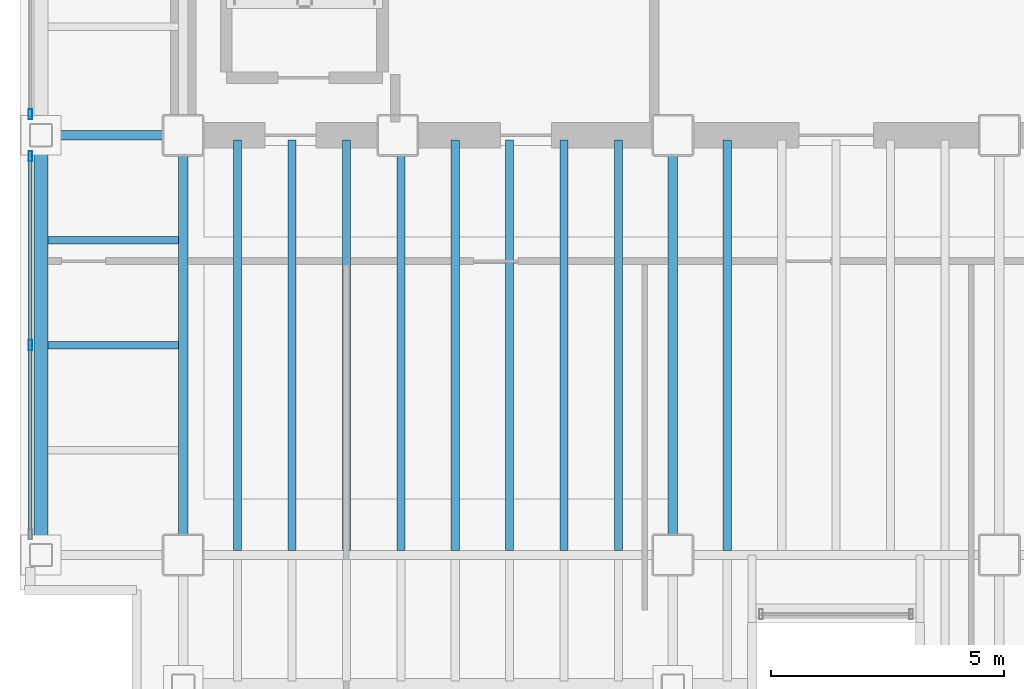
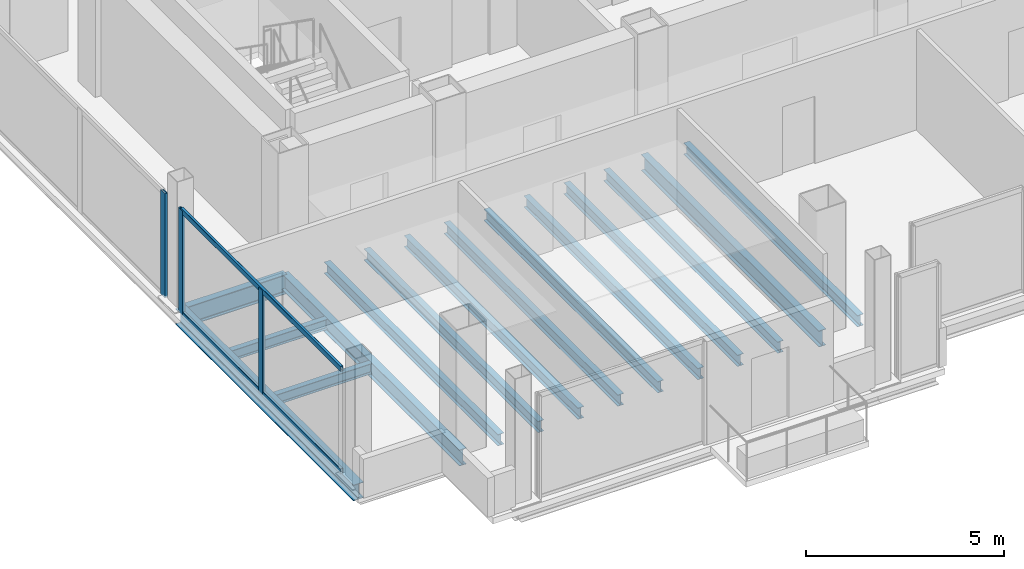
# One storey, part 3 of 15: 15 beams, 5 members, 2 elements without a shape of their own.
"""IFC4 building model written with IfcOpenShell, lengths in metres."""

from ifc_helpers import new_model, si_unit, direction, frame, origin, origin_2d, place, context, subcontext, project, spatial, hollow_rectangle, i_section, extrude, material, material_profile, profile_set, type_object, element, aggregate, save


model = new_model("IFC4")

# Units and contexts
model_context = context("Model", 3, precision=1e-05, world=origin(), true_north=direction((0.0, 1.0)))
body_context = subcontext(model_context, "Body", "Model", "MODEL_VIEW")
ifc_project = project(units=[si_unit("LENGTHUNIT", "METRE"), si_unit("AREAUNIT", "SQUARE_METRE"), si_unit("VOLUMEUNIT", "CUBIC_METRE"), si_unit("PLANEANGLEUNIT", "RADIAN"), si_unit("MASSUNIT", "GRAM", prefix="KILO")], contexts=[model_context])

# Site, building, storey
site_placement = place(None, origin())
site = spatial("IfcSite", under=ifc_project, at=site_placement, CompositionType="ELEMENT")
building_placement = place(site_placement, origin())
building = spatial("IfcBuilding", under=site, at=building_placement, Name="Noeulbin Bourse Tower", CompositionType="ELEMENT")
storey_placement = place(building_placement, frame((0.0, 0.0, 173.39990234375)))
storey = spatial("IfcBuildingStorey", under=building, at=storey_placement, Name="L43", CompositionType="ELEMENT", Elevation=173.39990234375)

# Beams
ifc_material_1 = material(Name="Steel S355", Category="steel")
ifc_material_profile_1 = material_profile(ifc_material_1, i_section(OverallWidth=0.199951171875, OverallDepth=0.5, WebThickness=0.010009765625, FlangeThickness=0.01611328125, FilletRadius=0.02001953125, at=origin_2d()), Name="H-500x200x10x16", Category="LoadBearing")
ifc_profile_set_1 = profile_set([ifc_material_profile_1], Name="Steel S355")
beam_type_1 = type_object("IfcBeamType", Name="BM-GRD-500", PredefinedType="USERDEFINED", material=ifc_profile_set_1)
for number, where, z_axis, x_axis, name in (
    (1, (13.5, 20.0, -0.429931640625), (0.0, 1.0, 0.0), (-1.0, 0.0, 0.0), "Tower Primary Girder NS L43-1.2"),
    (2, (24.0, 20.0, -0.429931640625), (0.0, 1.0, 0.0), (-1.0, 0.0, 0.0), "Tower Primary Girder NS L43-2.2"),
):
    element("IfcBeam", number, at=place(storey_placement, frame(where, z_axis=z_axis, x_axis=x_axis)), inside=storey, type_object=beam_type_1, Name=name, ObjectType="GIRDER", PredefinedType="USERDEFINED", context=body_context, shape_type="SweptSolid", body=[
        extrude(i_section(OverallWidth=0.199951171875, OverallDepth=0.5, WebThickness=0.010009765625, FlangeThickness=0.01611328125, FilletRadius=0.02001953125, at=origin_2d()), origin(), (0.0, 0.0, 1.0), 9.0),
    ])
ifc_material_profile_2 = material_profile(ifc_material_1, i_section(OverallWidth=0.199951171875, OverallDepth=0.60009765625, WebThickness=0.010986328125, FlangeThickness=0.01708984375, FilletRadius=0.02197265625, at=origin_2d()), Name="H-600x200x11x17", Category="LoadBearing")
ifc_profile_set_2 = profile_set([ifc_material_profile_2], Name="Steel S355")
beam_type_2 = type_object("IfcBeamType", Name="BM-GRD-600", PredefinedType="USERDEFINED", material=ifc_profile_set_2)
beam_1_placement = place(storey_placement, frame((10.449951171875, 29.0, -0.47998046875), z_axis=(1.0, 0.0, 0.0), x_axis=(0.0, 1.0, 0.0)))
element("IfcBeam", 3, at=beam_1_placement, inside=storey, type_object=beam_type_2, Name="Tower Primary Girder EW L43-2.1", ObjectType="GIRDER", PredefinedType="USERDEFINED", context=body_context, shape_type="SweptSolid", body=[
    extrude(i_section(OverallWidth=0.199951171875, OverallDepth=0.60009765625, WebThickness=0.010986328125, FlangeThickness=0.01708984375, FilletRadius=0.02197265625, at=origin_2d()), origin(), (0.0, 0.0, 1.0), 3.050048828125),
])
ifc_material_profile_3 = material_profile(ifc_material_1, i_section(OverallWidth=0.159912109375, OverallDepth=0.320068359375, WebThickness=0.006591796875, FlangeThickness=0.010009765625, FilletRadius=0.012939453125, at=origin_2d()), Name="H-320x160x6.5x10", Category="LoadBearing")
ifc_profile_set_3 = profile_set([ifc_material_profile_3], Name="Steel S355")
beam_type_3 = type_object("IfcBeamType", Name="BM-JST-320", PredefinedType="JOIST", material=ifc_profile_set_3)
for number, where, z_axis, x_axis, name in (
    (4, (10.60009765625, 24.5, -0.33984375), (1.0, 0.0, 0.0), (0.0, 1.0, 0.0), "Wing Composite Joist L43-W68"),
    (5, (10.60009765625, 26.75, -0.33984375), (1.0, 0.0, 0.0), (0.0, 1.0, 0.0), "Wing Composite Joist L43-W69"),
):
    element("IfcBeam", number, at=place(storey_placement, frame(where, z_axis=z_axis, x_axis=x_axis)), inside=storey, type_object=beam_type_3, Name=name, PredefinedType="JOIST", context=body_context, shape_type="SweptSolid", body=[
        extrude(i_section(OverallWidth=0.159912109375, OverallDepth=0.320068359375, WebThickness=0.006591796875, FlangeThickness=0.010009765625, FilletRadius=0.012939453125, at=origin_2d()), origin(), (0.0, 0.0, 1.0), 2.7998046875),
    ])
ifc_material_profile_4 = material_profile(ifc_material_1, i_section(OverallWidth=0.175048828125, OverallDepth=0.35009765625, WebThickness=0.007080078125, FlangeThickness=0.010986328125, FilletRadius=0.013916015625, at=origin_2d()), Name="H-350x175x7x11", Category="LoadBearing")
ifc_profile_set_4 = profile_set([ifc_material_profile_4], Name="Steel S355")
beam_type_4 = type_object("IfcBeamType", Name="BM-JST-350", PredefinedType="JOIST", material=ifc_profile_set_4)
for number, where, z_axis, x_axis, name in (
    (6, (14.666748046875, 20.10009765625, -0.35498046875), (0.0, 1.0, 0.0), (-1.0, 0.0, 0.0), "Tower Composite Joist L43-02"),
    (7, (15.833251953125, 20.10009765625, -0.35498046875), (0.0, 1.0, 0.0), (-1.0, 0.0, 0.0), "Tower Composite Joist L43-05"),
    (8, (17.0, 20.10009765625, -0.35498046875), (0.0, 1.0, 0.0), (-1.0, 0.0, 0.0), "Tower Composite Joist L43-08"),
    (9, (18.166748046875, 20.10009765625, -0.35498046875), (0.0, 1.0, 0.0), (-1.0, 0.0, 0.0), "Tower Composite Joist L43-11"),
    (10, (19.333251953125, 20.10009765625, -0.35498046875), (0.0, 1.0, 0.0), (-1.0, 0.0, 0.0), "Tower Composite Joist L43-14"),
    (11, (20.5, 20.10009765625, -0.35498046875), (0.0, 1.0, 0.0), (-1.0, 0.0, 0.0), "Tower Composite Joist L43-17"),
    (12, (21.666748046875, 20.10009765625, -0.35498046875), (0.0, 1.0, 0.0), (-1.0, 0.0, 0.0), "Tower Composite Joist L43-20"),
    (13, (22.833251953125, 20.10009765625, -0.35498046875), (0.0, 1.0, 0.0), (-1.0, 0.0, 0.0), "Tower Composite Joist L43-23"),
    (14, (25.166748046875, 20.10009765625, -0.35498046875), (0.0, 1.0, 0.0), (-1.0, 0.0, 0.0), "Tower Composite Joist L43-26"),
):
    element("IfcBeam", number, at=place(storey_placement, frame(where, z_axis=z_axis, x_axis=x_axis)), inside=storey, type_object=beam_type_4, Name=name, PredefinedType="JOIST", context=body_context, shape_type="SweptSolid", body=[
        extrude(i_section(OverallWidth=0.175048828125, OverallDepth=0.35009765625, WebThickness=0.007080078125, FlangeThickness=0.010986328125, FilletRadius=0.013916015625, at=origin_2d()), origin(), (0.0, 0.0, 1.0), 8.7998046875),
    ])
ifc_material_profile_5 = material_profile(ifc_material_1, i_section(OverallWidth=0.300048828125, OverallDepth=0.488037109375, WebThickness=0.010986328125, FlangeThickness=0.01806640625, FilletRadius=0.02197265625, at=origin_2d()), Name="H-488x300x11x18", Category="LoadBearing")
ifc_profile_set_5 = profile_set([ifc_material_profile_5], Name="Steel S355")
beam_type_5 = type_object("IfcBeamType", Name="BM-SPN-488", PredefinedType="SPANDREL", material=ifc_profile_set_5)
beam_2_placement = place(storey_placement, frame((10.449951171875, 20.0, -0.423828125), z_axis=(0.0, 1.0, 0.0), x_axis=(-1.0, 0.0, 0.0)))
element("IfcBeam", 15, at=beam_2_placement, inside=storey, type_object=beam_type_5, Name="West Spandrel L43-1", PredefinedType="SPANDREL", context=body_context, shape_type="SweptSolid", body=[
    extrude(i_section(OverallWidth=0.300048828125, OverallDepth=0.488037109375, WebThickness=0.010986328125, FlangeThickness=0.01806640625, FilletRadius=0.02197265625, at=origin_2d()), origin(), (0.0, 0.0, 1.0), 9.0),
])

# Curtain wall, members
ifc_material_2 = material(Name="Dark Tinted Triple Glazing", Category="glass")
curtain_wall_type = type_object("IfcCurtainWallType", Name="CW-SYS-3", PredefinedType="NOTDEFINED", material=ifc_material_2)
curtain_wall_1_placement = place(storey_placement, origin())
curtain_wall_1 = element("IfcCurtainWall", 16, at=curtain_wall_1_placement, inside=storey, type_object=curtain_wall_type, Name="Unitised Curtain Wall CW-L43-W-S1", PredefinedType="NOTDEFINED")
ifc_material_3 = material(Name="Anodised Aluminium 6063-T6", Category="aluminium")
ifc_material_profile_6 = material_profile(ifc_material_3, hollow_rectangle(XDim=0.074951171875, YDim=0.219970703125, WallThickness=0.0048828125, InnerFilletRadius=0.00244140625, OuterFilletRadius=0.0048828125, at=origin_2d()), Name="ALU-MULL-75x220x5", Category="LoadBearing")
ifc_profile_set_6 = profile_set([ifc_material_profile_6], Name="Anodised Aluminium 6063-T6")
member_type_1 = type_object("IfcMemberType", Name="CW-SYS-3-MUL", PredefinedType="MULLION", material=ifc_profile_set_6)
member_1_placement = place(storey_placement, frame((10.219970703125, 24.5, -0.02001953125), z_axis=(0.0, 0.0, 1.0), x_axis=(1.0, 0.0, 0.0)))
member_1 = element("IfcMember", 17, at=member_1_placement, type_object=member_type_1, Name="Curtain Wall Mullion CW-L43-W-S1-M01", PredefinedType="MULLION", context=body_context, shape_type="SweptSolid", body=[
    extrude(hollow_rectangle(XDim=0.074951171875, YDim=0.219970703125, WallThickness=0.0048828125, InnerFilletRadius=0.00244140625, OuterFilletRadius=0.0048828125, at=origin_2d()), origin(), (0.0, 0.0, 1.0), 3.22021484375),
])
member_2_placement = place(storey_placement, frame((10.219970703125, 28.550048828125, -0.02001953125), z_axis=(0.0, 0.0, 1.0), x_axis=(1.0, 0.0, 0.0)))
member_2 = element("IfcMember", 18, at=member_2_placement, type_object=member_type_1, Name="Curtain Wall Mullion CW-L43-W-S1-M02", PredefinedType="MULLION", context=body_context, shape_type="SweptSolid", body=[
    extrude(hollow_rectangle(XDim=0.074951171875, YDim=0.219970703125, WallThickness=0.0048828125, InnerFilletRadius=0.00244140625, OuterFilletRadius=0.0048828125, at=origin_2d()), origin(), (0.0, 0.0, 1.0), 3.22021484375),
])

# Curtain wall, member
curtain_wall_2_placement = place(storey_placement, origin())
curtain_wall_2 = element("IfcCurtainWall", 19, at=curtain_wall_2_placement, inside=storey, type_object=curtain_wall_type, Name="Unitised Curtain Wall CW-L43-W-S2", PredefinedType="NOTDEFINED")
member_3_placement = place(storey_placement, frame((10.219970703125, 29.449951171875, -0.02001953125), z_axis=(0.0, 0.0, 1.0), x_axis=(1.0, 0.0, 0.0)))
member_3 = element("IfcMember", 20, at=member_3_placement, type_object=member_type_1, Name="Curtain Wall Mullion CW-L43-W-S2-M00", PredefinedType="MULLION", context=body_context, shape_type="SweptSolid", body=[
    extrude(hollow_rectangle(XDim=0.074951171875, YDim=0.219970703125, WallThickness=0.0048828125, InnerFilletRadius=0.00244140625, OuterFilletRadius=0.0048828125, at=origin_2d()), origin(), (0.0, 0.0, 1.0), 3.22021484375),
])
aggregate(curtain_wall_2, [member_3])

# Member
ifc_material_profile_7 = material_profile(ifc_material_3, hollow_rectangle(XDim=0.074951171875, YDim=0.159912109375, WallThickness=0.0048828125, InnerFilletRadius=0.00244140625, OuterFilletRadius=0.0048828125, at=origin_2d()), Name="ALU-TRAN-75x160x5", Category="LoadBearing")
ifc_profile_set_7 = profile_set([ifc_material_profile_7], Name="Anodised Aluminium 6063-T6")
member_type_2 = type_object("IfcMemberType", Name="CW-SYS-3-TRN", PredefinedType="USERDEFINED", material=ifc_profile_set_7)
member_4_placement = place(storey_placement, frame((10.219970703125, 20.4599609375, 0.010009765625), z_axis=(0.0, 1.0, 0.0), x_axis=(-1.0, 0.0, 0.0)))
member_4 = element("IfcMember", 21, at=member_4_placement, type_object=member_type_2, Name="Curtain Wall Transom CW-L43-W-S1-T00", ObjectType="TRANSOM", PredefinedType="USERDEFINED", context=body_context, shape_type="SweptSolid", body=[
    extrude(hollow_rectangle(XDim=0.074951171875, YDim=0.159912109375, WallThickness=0.0048828125, InnerFilletRadius=0.00244140625, OuterFilletRadius=0.0048828125, at=origin_2d()), origin(), (0.0, 0.0, 1.0), 8.080078125),
])

member_5_placement = place(storey_placement, frame((10.219970703125, 20.4599609375, 3.170166015625), z_axis=(0.0, 1.0, 0.0), x_axis=(-1.0, 0.0, 0.0)))
member_5 = element("IfcMember", 22, at=member_5_placement, type_object=member_type_2, Name="Curtain Wall Transom CW-L43-W-S1-T01", ObjectType="TRANSOM", PredefinedType="USERDEFINED", context=body_context, shape_type="SweptSolid", body=[
    extrude(hollow_rectangle(XDim=0.074951171875, YDim=0.159912109375, WallThickness=0.0048828125, InnerFilletRadius=0.00244140625, OuterFilletRadius=0.0048828125, at=origin_2d()), origin(), (0.0, 0.0, 1.0), 8.080078125),
])

aggregate(curtain_wall_1, [member_1, member_2, member_4, member_5])

save(model, "model.ifc")
